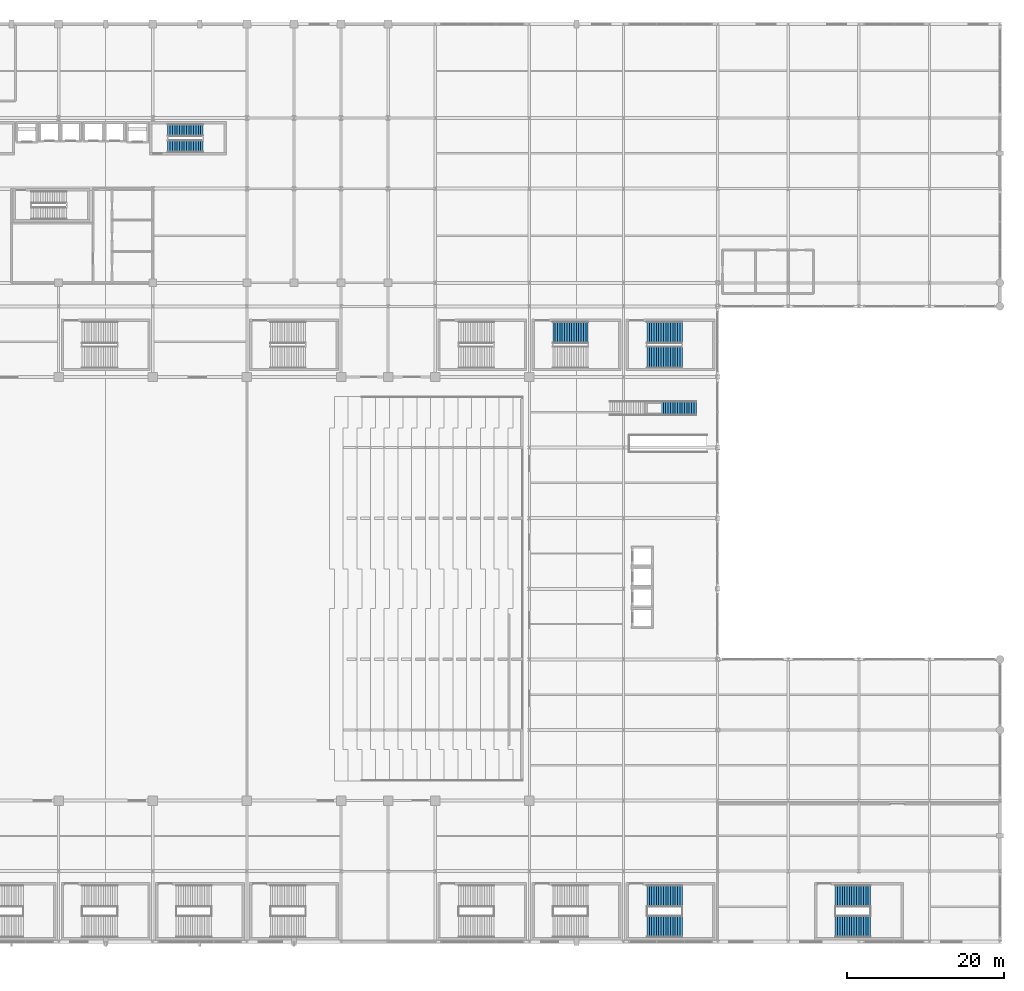
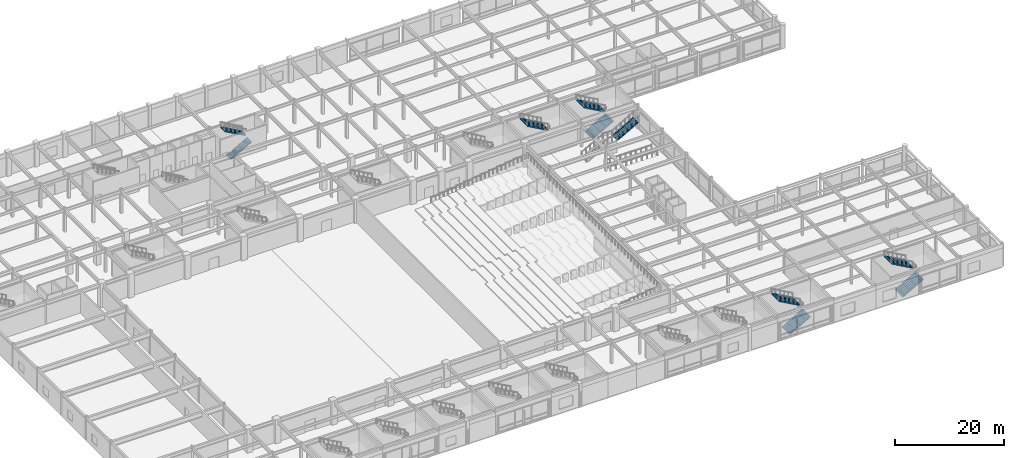
# One storey, part 91 of 100: 10 stair flights, 6 elements without a shape of their own.
"""IFC4 building model written with IfcOpenShell, lengths in metres."""

from ifc_helpers import new_model, si_unit, direction, frame, origin, place, context, subcontext, project, spatial, polyline, outline, extrude, material, type_object, element, aggregate, save


model = new_model("IFC4")

# Units and contexts
model_context = context("Model", 3, precision=1e-05, world=origin(), true_north=direction((0.0, 1.0)))
body_context = subcontext(model_context, "Body", "Model", "MODEL_VIEW")
ifc_project = project(units=[si_unit("LENGTHUNIT", "METRE"), si_unit("AREAUNIT", "SQUARE_METRE"), si_unit("VOLUMEUNIT", "CUBIC_METRE"), si_unit("PLANEANGLEUNIT", "RADIAN"), si_unit("MASSUNIT", "GRAM", prefix="KILO")], contexts=[model_context])

# Site, building, storey
site_placement = place(None, origin())
site = spatial("IfcSite", under=ifc_project, at=site_placement, CompositionType="ELEMENT")
building_placement = place(site_placement, origin())
building = spatial("IfcBuilding", under=site, at=building_placement, Name="Kaldorvane Square Convention Centre", CompositionType="ELEMENT")
storey_placement = place(building_placement, frame((0.0, 0.0, 18.0)))
storey = spatial("IfcBuildingStorey", under=building, at=storey_placement, Name="L03", CompositionType="ELEMENT", Elevation=18.0)

# Stair, stair flight
ifc_material_1 = material(Name="Steel ASTM A500 Gr. C", Category="steel")
stair_type_1 = type_object("IfcStairType", Name="ST-STR-1800-5400", PredefinedType="STRAIGHT_RUN_STAIR", material=ifc_material_1)
stair_1_placement = place(storey_placement, origin())
stair_1 = element("IfcStair", 1, at=stair_1_placement, inside=storey, type_object=stair_type_1, Name="East Foyer Grand Stair F4 (L03)", PredefinedType="STRAIGHT_RUN_STAIR")
stair_flight_type_1 = type_object("IfcStairFlightType", Name="SF-FEAT-1800-16R", PredefinedType="STRAIGHT", material=ifc_material_1)
stair_flight_1_placement = place(storey_placement, frame((130.77999877929688, 68.0, 2.6999969482421875), z_axis=(0.0, 0.0, 1.0), x_axis=(1.0, 0.0, 0.0)))
stair_flight_1 = element("IfcStairFlight", 2, at=stair_flight_1_placement, type_object=stair_flight_type_1, Name="East Foyer Grand Stair F4 Upper Flight (L03)", NumberOfRisers=16, NumberOfTreads=15, PredefinedType="STRAIGHT", RiserHeight=0.16875, TreadLength=0.3, context=body_context, shape_type="SweptSolid", body=[
    extrude(outline(polyline([(0.0, 0.0), (0.0, 0.1687469482421875), (0.3000030517578125, 0.1687469482421875), (0.3000030517578125, 0.337493896484375), (0.600006103515625, 0.337493896484375), (0.600006103515625, 0.506256103515625), (0.899993896484375, 0.506256103515625), (0.899993896484375, 0.6750030517578125), (1.1999969482421875, 0.6750030517578125), (1.1999969482421875, 0.84375), (1.5, 0.84375), (1.5, 1.0124969482421875), (1.8000030517578125, 1.0124969482421875), (1.8000030517578125, 1.181243896484375), (2.100006103515625, 1.181243896484375), (2.100006103515625, 1.350006103515625), (2.399993896484375, 1.350006103515625), (2.399993896484375, 1.5187530517578125), (2.6999969482421875, 1.5187530517578125), (2.6999969482421875, 1.6875), (3.0, 1.6875), (3.0, 1.8562469482421875), (3.3000030517578125, 1.8562469482421875), (3.3000030517578125, 2.024993896484375), (3.600006103515625, 2.024993896484375), (3.600006103515625, 2.193756103515625), (3.899993896484375, 2.193756103515625), (3.899993896484375, 2.3625030517578125), (4.1999969482421875, 2.3625030517578125), (4.1999969482421875, 2.53125), (4.5, 2.53125), (4.5, 2.6999969482421875), (4.5, 2.301788330078125), (0.4079437255859375, 0.0), (0.0, 0.0)])), frame((0.0, 0.899993896484375, 0.0), z_axis=(0.0, -1.0, 0.0), x_axis=(1.0, 0.0, 0.0)), (0.0, 0.0, 1.0), 1.8000030517578125),
])
aggregate(stair_1, [stair_flight_1])

# Stair, stair flights
ifc_material_2 = material(Name="Concrete f'c = 42 MPa (Normalweight)", Category="concrete")
stair_type_2 = type_object("IfcStairType", Name="ST-DL-1600-5400", PredefinedType="HALF_TURN_STAIR", material=ifc_material_2)
stair_2_placement = place(storey_placement, origin())
stair_2 = element("IfcStair", 3, at=stair_2_placement, inside=storey, type_object=stair_type_2, Name="Tower Exit Stair T2 (L03)", PredefinedType="HALF_TURN_STAIR")
stair_flight_type_2 = type_object("IfcStairFlightType", Name="SF-STR-1600-16R", PredefinedType="STRAIGHT", material=ifc_material_2)
stair_flight_2_placement = place(storey_placement, frame((67.89999389648438, 101.41000366210938, 0.0), z_axis=(0.0, 0.0, 1.0), x_axis=(1.0, 0.0, 0.0)))
stair_flight_2 = element("IfcStairFlight", 4, at=stair_flight_2_placement, type_object=stair_flight_type_2, Name="Tower Exit Stair T2 Flight 1 (L03)", NumberOfRisers=16, NumberOfTreads=15, PredefinedType="STRAIGHT", RiserHeight=0.16875, TreadLength=0.3, context=body_context, shape_type="SweptSolid", body=[
    extrude(outline(polyline([(0.0, 0.0), (0.0, 0.1687469482421875), (0.3000030517578125, 0.1687469482421875), (0.3000030517578125, 0.337493896484375), (0.600006103515625, 0.337493896484375), (0.600006103515625, 0.506256103515625), (0.899993896484375, 0.506256103515625), (0.899993896484375, 0.6750030517578125), (1.1999969482421875, 0.6750030517578125), (1.1999969482421875, 0.84375), (1.5, 0.84375), (1.5, 1.0124969482421875), (1.8000030517578125, 1.0124969482421875), (1.8000030517578125, 1.181243896484375), (2.100006103515625, 1.181243896484375), (2.100006103515625, 1.350006103515625), (2.399993896484375, 1.350006103515625), (2.399993896484375, 1.5187530517578125), (2.6999969482421875, 1.5187530517578125), (2.6999969482421875, 1.6875), (3.0, 1.6875), (3.0, 1.8562469482421875), (3.3000030517578125, 1.8562469482421875), (3.3000030517578125, 2.024993896484375), (3.600006103515625, 2.024993896484375), (3.600006103515625, 2.193756103515625), (3.899993896484375, 2.193756103515625), (3.899993896484375, 2.3625030517578125), (4.1999969482421875, 2.3625030517578125), (4.1999969482421875, 2.53125), (4.5, 2.53125), (4.5, 2.6999969482421875), (4.5, 2.301788330078125), (0.4079437255859375, 0.0), (0.0, 0.0)])), frame((0.0, 0.8000030517578125, 0.0), z_axis=(0.0, -1.0, 0.0), x_axis=(1.0, 0.0, 0.0)), (0.0, 0.0, 1.0), 1.600006103515625),
])
stair_flight_3_placement = place(storey_placement, frame((72.39999389648438, 103.44999694824219, 2.6999969482421875), z_axis=(0.0, 0.0, 1.0), x_axis=(-1.0, 0.0, 0.0)))
stair_flight_3 = element("IfcStairFlight", 5, at=stair_flight_3_placement, type_object=stair_flight_type_2, Name="Tower Exit Stair T2 Flight 2 (L03)", NumberOfRisers=16, NumberOfTreads=15, PredefinedType="STRAIGHT", RiserHeight=0.16875, TreadLength=0.3, context=body_context, shape_type="SweptSolid", body=[
    extrude(outline(polyline([(0.0, 0.0), (0.0, 0.1687469482421875), (0.3000030517578125, 0.1687469482421875), (0.3000030517578125, 0.337493896484375), (0.600006103515625, 0.337493896484375), (0.600006103515625, 0.506256103515625), (0.899993896484375, 0.506256103515625), (0.899993896484375, 0.6750030517578125), (1.1999969482421875, 0.6750030517578125), (1.1999969482421875, 0.84375), (1.5, 0.84375), (1.5, 1.0124969482421875), (1.8000030517578125, 1.0124969482421875), (1.8000030517578125, 1.181243896484375), (2.100006103515625, 1.181243896484375), (2.100006103515625, 1.350006103515625), (2.399993896484375, 1.350006103515625), (2.399993896484375, 1.5187530517578125), (2.6999969482421875, 1.5187530517578125), (2.6999969482421875, 1.6875), (3.0, 1.6875), (3.0, 1.8562469482421875), (3.3000030517578125, 1.8562469482421875), (3.3000030517578125, 2.024993896484375), (3.600006103515625, 2.024993896484375), (3.600006103515625, 2.193756103515625), (3.899993896484375, 2.193756103515625), (3.899993896484375, 2.3625030517578125), (4.1999969482421875, 2.3625030517578125), (4.1999969482421875, 2.53125), (4.5, 2.53125), (4.5, 2.6999969482421875), (4.5, 2.301788330078125), (0.4079437255859375, 0.0), (0.0, 0.0)])), frame((0.0, 0.8000030517578125, 0.0), z_axis=(0.0, -1.0, 0.0), x_axis=(1.0, 0.0, 0.0)), (0.0, 0.0, 1.0), 1.600006103515625),
])
aggregate(stair_2, [stair_flight_2, stair_flight_3])

stair_type_3 = type_object("IfcStairType", Name="ST-DL-2800-5400-D6710", PredefinedType="HALF_TURN_STAIR", material=ifc_material_2)
stair_3_placement = place(storey_placement, origin())
stair_3 = element("IfcStair", 6, at=stair_3_placement, inside=storey, type_object=stair_type_3, Name="Convention Exit Stair C10 (L03)", PredefinedType="HALF_TURN_STAIR")
stair_flight_type_3 = type_object("IfcStairFlightType", Name="SF-STR-2800-16R", PredefinedType="STRAIGHT", material=ifc_material_2)
stair_flight_4_placement = place(storey_placement, frame((128.99000549316406, 1.9499969482421875, 0.0), z_axis=(0.0, 0.0, 1.0), x_axis=(1.0, 0.0, 0.0)))
stair_flight_4 = element("IfcStairFlight", 7, at=stair_flight_4_placement, type_object=stair_flight_type_3, Name="Convention Exit Stair C10 Flight 1 (L03)", NumberOfRisers=16, NumberOfTreads=15, PredefinedType="STRAIGHT", RiserHeight=0.16875, TreadLength=0.3, context=body_context, shape_type="SweptSolid", body=[
    extrude(outline(polyline([(0.0, 0.0), (0.0, 0.1687469482421875), (0.3000030517578125, 0.1687469482421875), (0.3000030517578125, 0.337493896484375), (0.600006103515625, 0.337493896484375), (0.600006103515625, 0.506256103515625), (0.899993896484375, 0.506256103515625), (0.899993896484375, 0.6750030517578125), (1.1999969482421875, 0.6750030517578125), (1.1999969482421875, 0.84375), (1.5, 0.84375), (1.5, 1.0124969482421875), (1.8000030517578125, 1.0124969482421875), (1.8000030517578125, 1.181243896484375), (2.100006103515625, 1.181243896484375), (2.100006103515625, 1.350006103515625), (2.399993896484375, 1.350006103515625), (2.399993896484375, 1.5187530517578125), (2.6999969482421875, 1.5187530517578125), (2.6999969482421875, 1.6875), (3.0, 1.6875), (3.0, 1.8562469482421875), (3.3000030517578125, 1.8562469482421875), (3.3000030517578125, 2.024993896484375), (3.600006103515625, 2.024993896484375), (3.600006103515625, 2.193756103515625), (3.899993896484375, 2.193756103515625), (3.899993896484375, 2.3625030517578125), (4.1999969482421875, 2.3625030517578125), (4.1999969482421875, 2.53125), (4.5, 2.53125), (4.5, 2.6999969482421875), (4.5, 2.301788330078125), (0.4079437255859375, 0.0), (0.0, 0.0)])), frame((0.0, 1.399993896484375, 0.0), z_axis=(0.0, -1.0, 0.0), x_axis=(1.0, 0.0, 0.0)), (0.0, 0.0, 1.0), 2.8000030517578125),
])
stair_flight_5_placement = place(storey_placement, frame((133.49000549316406, 5.8600006103515625, 2.6999969482421875), z_axis=(0.0, 0.0, 1.0), x_axis=(-1.0, 0.0, 0.0)))
stair_flight_5 = element("IfcStairFlight", 8, at=stair_flight_5_placement, type_object=stair_flight_type_3, Name="Convention Exit Stair C10 Flight 2 (L03)", NumberOfRisers=16, NumberOfTreads=15, PredefinedType="STRAIGHT", RiserHeight=0.16875, TreadLength=0.3, context=body_context, shape_type="SweptSolid", body=[
    extrude(outline(polyline([(0.0, 0.0), (0.0, 0.1687469482421875), (0.3000030517578125, 0.1687469482421875), (0.3000030517578125, 0.337493896484375), (0.600006103515625, 0.337493896484375), (0.600006103515625, 0.506256103515625), (0.899993896484375, 0.506256103515625), (0.899993896484375, 0.6750030517578125), (1.1999969482421875, 0.6750030517578125), (1.1999969482421875, 0.84375), (1.5, 0.84375), (1.5, 1.0124969482421875), (1.8000030517578125, 1.0124969482421875), (1.8000030517578125, 1.181243896484375), (2.100006103515625, 1.181243896484375), (2.100006103515625, 1.350006103515625), (2.399993896484375, 1.350006103515625), (2.399993896484375, 1.5187530517578125), (2.6999969482421875, 1.5187530517578125), (2.6999969482421875, 1.6875), (3.0, 1.6875), (3.0, 1.8562469482421875), (3.3000030517578125, 1.8562469482421875), (3.3000030517578125, 2.024993896484375), (3.600006103515625, 2.024993896484375), (3.600006103515625, 2.193756103515625), (3.899993896484375, 2.193756103515625), (3.899993896484375, 2.3625030517578125), (4.1999969482421875, 2.3625030517578125), (4.1999969482421875, 2.53125), (4.5, 2.53125), (4.5, 2.6999969482421875), (4.5, 2.301788330078125), (0.4079437255859375, 0.0), (0.0, 0.0)])), frame((0.0, 1.399993896484375, 0.0), z_axis=(0.0, -1.0, 0.0), x_axis=(1.0, 0.0, 0.0)), (0.0, 0.0, 1.0), 2.8000030517578125),
])
aggregate(stair_3, [stair_flight_4, stair_flight_5])

stair_4_placement = place(storey_placement, origin())
stair_4 = element("IfcStair", 9, at=stair_4_placement, inside=storey, type_object=stair_type_3, Name="Convention Exit Stair C11 (L03)", PredefinedType="HALF_TURN_STAIR")
stair_flight_6_placement = place(storey_placement, frame((152.99000549316406, 1.9499969482421875, 0.0), z_axis=(0.0, 0.0, 1.0), x_axis=(1.0, 0.0, 0.0)))
stair_flight_6 = element("IfcStairFlight", 10, at=stair_flight_6_placement, type_object=stair_flight_type_3, Name="Convention Exit Stair C11 Flight 1 (L03)", NumberOfRisers=16, NumberOfTreads=15, PredefinedType="STRAIGHT", RiserHeight=0.16875, TreadLength=0.3, context=body_context, shape_type="SweptSolid", body=[
    extrude(outline(polyline([(0.0, 0.0), (0.0, 0.1687469482421875), (0.3000030517578125, 0.1687469482421875), (0.3000030517578125, 0.337493896484375), (0.600006103515625, 0.337493896484375), (0.600006103515625, 0.506256103515625), (0.899993896484375, 0.506256103515625), (0.899993896484375, 0.6750030517578125), (1.1999969482421875, 0.6750030517578125), (1.1999969482421875, 0.84375), (1.5, 0.84375), (1.5, 1.0124969482421875), (1.8000030517578125, 1.0124969482421875), (1.8000030517578125, 1.181243896484375), (2.100006103515625, 1.181243896484375), (2.100006103515625, 1.350006103515625), (2.399993896484375, 1.350006103515625), (2.399993896484375, 1.5187530517578125), (2.6999969482421875, 1.5187530517578125), (2.6999969482421875, 1.6875), (3.0, 1.6875), (3.0, 1.8562469482421875), (3.3000030517578125, 1.8562469482421875), (3.3000030517578125, 2.024993896484375), (3.600006103515625, 2.024993896484375), (3.600006103515625, 2.193756103515625), (3.899993896484375, 2.193756103515625), (3.899993896484375, 2.3625030517578125), (4.1999969482421875, 2.3625030517578125), (4.1999969482421875, 2.53125), (4.5, 2.53125), (4.5, 2.6999969482421875), (4.5, 2.301788330078125), (0.4079437255859375, 0.0), (0.0, 0.0)])), frame((0.0, 1.399993896484375, 0.0), z_axis=(0.0, -1.0, 0.0), x_axis=(1.0, 0.0, 0.0)), (0.0, 0.0, 1.0), 2.8000030517578125),
])
stair_flight_7_placement = place(storey_placement, frame((157.49000549316406, 5.8600006103515625, 2.6999969482421875), z_axis=(0.0, 0.0, 1.0), x_axis=(-1.0, 0.0, 0.0)))
stair_flight_7 = element("IfcStairFlight", 11, at=stair_flight_7_placement, type_object=stair_flight_type_3, Name="Convention Exit Stair C11 Flight 2 (L03)", NumberOfRisers=16, NumberOfTreads=15, PredefinedType="STRAIGHT", RiserHeight=0.16875, TreadLength=0.3, context=body_context, shape_type="SweptSolid", body=[
    extrude(outline(polyline([(0.0, 0.0), (0.0, 0.1687469482421875), (0.3000030517578125, 0.1687469482421875), (0.3000030517578125, 0.337493896484375), (0.600006103515625, 0.337493896484375), (0.600006103515625, 0.506256103515625), (0.899993896484375, 0.506256103515625), (0.899993896484375, 0.6750030517578125), (1.1999969482421875, 0.6750030517578125), (1.1999969482421875, 0.84375), (1.5, 0.84375), (1.5, 1.0124969482421875), (1.8000030517578125, 1.0124969482421875), (1.8000030517578125, 1.181243896484375), (2.100006103515625, 1.181243896484375), (2.100006103515625, 1.350006103515625), (2.399993896484375, 1.350006103515625), (2.399993896484375, 1.5187530517578125), (2.6999969482421875, 1.5187530517578125), (2.6999969482421875, 1.6875), (3.0, 1.6875), (3.0, 1.8562469482421875), (3.3000030517578125, 1.8562469482421875), (3.3000030517578125, 2.024993896484375), (3.600006103515625, 2.024993896484375), (3.600006103515625, 2.193756103515625), (3.899993896484375, 2.193756103515625), (3.899993896484375, 2.3625030517578125), (4.1999969482421875, 2.3625030517578125), (4.1999969482421875, 2.53125), (4.5, 2.53125), (4.5, 2.6999969482421875), (4.5, 2.301788330078125), (0.4079437255859375, 0.0), (0.0, 0.0)])), frame((0.0, 1.399993896484375, 0.0), z_axis=(0.0, -1.0, 0.0), x_axis=(1.0, 0.0, 0.0)), (0.0, 0.0, 1.0), 2.8000030517578125),
])
aggregate(stair_4, [stair_flight_6, stair_flight_7])

# Stair, stair flight
stair_type_4 = type_object("IfcStairType", Name="ST-DL-2800-5400", PredefinedType="HALF_TURN_STAIR", material=ifc_material_2)
stair_5_placement = place(storey_placement, origin())
stair_5 = element("IfcStair", 12, at=stair_5_placement, inside=storey, type_object=stair_type_4, Name="Convention Exit Stair C17 (L03)", PredefinedType="HALF_TURN_STAIR")
stair_flight_8_placement = place(storey_placement, frame((121.49000549316406, 77.66000366210938, 2.6999969482421875), z_axis=(0.0, 0.0, 1.0), x_axis=(-1.0, 0.0, 0.0)))
stair_flight_8 = element("IfcStairFlight", 13, at=stair_flight_8_placement, type_object=stair_flight_type_3, Name="Convention Exit Stair C17 Flight 2 (L03)", NumberOfRisers=16, NumberOfTreads=15, PredefinedType="STRAIGHT", RiserHeight=0.16875, TreadLength=0.3, context=body_context, shape_type="SweptSolid", body=[
    extrude(outline(polyline([(0.0, 0.0), (0.0, 0.1687469482421875), (0.3000030517578125, 0.1687469482421875), (0.3000030517578125, 0.337493896484375), (0.600006103515625, 0.337493896484375), (0.600006103515625, 0.506256103515625), (0.899993896484375, 0.506256103515625), (0.899993896484375, 0.6750030517578125), (1.1999969482421875, 0.6750030517578125), (1.1999969482421875, 0.84375), (1.5, 0.84375), (1.5, 1.0124969482421875), (1.8000030517578125, 1.0124969482421875), (1.8000030517578125, 1.181243896484375), (2.100006103515625, 1.181243896484375), (2.100006103515625, 1.350006103515625), (2.399993896484375, 1.350006103515625), (2.399993896484375, 1.5187530517578125), (2.6999969482421875, 1.5187530517578125), (2.6999969482421875, 1.6875), (3.0, 1.6875), (3.0, 1.8562469482421875), (3.3000030517578125, 1.8562469482421875), (3.3000030517578125, 2.024993896484375), (3.600006103515625, 2.024993896484375), (3.600006103515625, 2.193756103515625), (3.899993896484375, 2.193756103515625), (3.899993896484375, 2.3625030517578125), (4.1999969482421875, 2.3625030517578125), (4.1999969482421875, 2.53125), (4.5, 2.53125), (4.5, 2.6999969482421875), (4.5, 2.301788330078125), (0.4079437255859375, 0.0), (0.0, 0.0)])), frame((0.0, 1.399993896484375, 0.0), z_axis=(0.0, -1.0, 0.0), x_axis=(1.0, 0.0, 0.0)), (0.0, 0.0, 1.0), 2.8000030517578125),
])
aggregate(stair_5, [stair_flight_8])

# Stair, stair flights
stair_6_placement = place(storey_placement, origin())
stair_6 = element("IfcStair", 14, at=stair_6_placement, inside=storey, type_object=stair_type_4, Name="Convention Exit Stair C18 (L03)", PredefinedType="HALF_TURN_STAIR")
stair_flight_9_placement = place(storey_placement, frame((128.99000549316406, 74.5, 0.0), z_axis=(0.0, 0.0, 1.0), x_axis=(1.0, 0.0, 0.0)))
stair_flight_9 = element("IfcStairFlight", 15, at=stair_flight_9_placement, type_object=stair_flight_type_3, Name="Convention Exit Stair C18 Flight 1 (L03)", NumberOfRisers=16, NumberOfTreads=15, PredefinedType="STRAIGHT", RiserHeight=0.16875, TreadLength=0.3, context=body_context, shape_type="SweptSolid", body=[
    extrude(outline(polyline([(0.0, 0.0), (0.0, 0.1687469482421875), (0.3000030517578125, 0.1687469482421875), (0.3000030517578125, 0.337493896484375), (0.600006103515625, 0.337493896484375), (0.600006103515625, 0.506256103515625), (0.899993896484375, 0.506256103515625), (0.899993896484375, 0.6750030517578125), (1.1999969482421875, 0.6750030517578125), (1.1999969482421875, 0.84375), (1.5, 0.84375), (1.5, 1.0124969482421875), (1.8000030517578125, 1.0124969482421875), (1.8000030517578125, 1.181243896484375), (2.100006103515625, 1.181243896484375), (2.100006103515625, 1.350006103515625), (2.399993896484375, 1.350006103515625), (2.399993896484375, 1.5187530517578125), (2.6999969482421875, 1.5187530517578125), (2.6999969482421875, 1.6875), (3.0, 1.6875), (3.0, 1.8562469482421875), (3.3000030517578125, 1.8562469482421875), (3.3000030517578125, 2.024993896484375), (3.600006103515625, 2.024993896484375), (3.600006103515625, 2.193756103515625), (3.899993896484375, 2.193756103515625), (3.899993896484375, 2.3625030517578125), (4.1999969482421875, 2.3625030517578125), (4.1999969482421875, 2.53125), (4.5, 2.53125), (4.5, 2.6999969482421875), (4.5, 2.301788330078125), (0.4079437255859375, 0.0), (0.0, 0.0)])), frame((0.0, 1.399993896484375, 0.0), z_axis=(0.0, -1.0, 0.0), x_axis=(1.0, 0.0, 0.0)), (0.0, 0.0, 1.0), 2.8000030517578125),
])
stair_flight_10_placement = place(storey_placement, frame((133.49000549316406, 77.66000366210938, 2.6999969482421875), z_axis=(0.0, 0.0, 1.0), x_axis=(-1.0, 0.0, 0.0)))
stair_flight_10 = element("IfcStairFlight", 16, at=stair_flight_10_placement, type_object=stair_flight_type_3, Name="Convention Exit Stair C18 Flight 2 (L03)", NumberOfRisers=16, NumberOfTreads=15, PredefinedType="STRAIGHT", RiserHeight=0.16875, TreadLength=0.3, context=body_context, shape_type="SweptSolid", body=[
    extrude(outline(polyline([(0.0, 0.0), (0.0, 0.1687469482421875), (0.3000030517578125, 0.1687469482421875), (0.3000030517578125, 0.337493896484375), (0.600006103515625, 0.337493896484375), (0.600006103515625, 0.506256103515625), (0.899993896484375, 0.506256103515625), (0.899993896484375, 0.6750030517578125), (1.1999969482421875, 0.6750030517578125), (1.1999969482421875, 0.84375), (1.5, 0.84375), (1.5, 1.0124969482421875), (1.8000030517578125, 1.0124969482421875), (1.8000030517578125, 1.181243896484375), (2.100006103515625, 1.181243896484375), (2.100006103515625, 1.350006103515625), (2.399993896484375, 1.350006103515625), (2.399993896484375, 1.5187530517578125), (2.6999969482421875, 1.5187530517578125), (2.6999969482421875, 1.6875), (3.0, 1.6875), (3.0, 1.8562469482421875), (3.3000030517578125, 1.8562469482421875), (3.3000030517578125, 2.024993896484375), (3.600006103515625, 2.024993896484375), (3.600006103515625, 2.193756103515625), (3.899993896484375, 2.193756103515625), (3.899993896484375, 2.3625030517578125), (4.1999969482421875, 2.3625030517578125), (4.1999969482421875, 2.53125), (4.5, 2.53125), (4.5, 2.6999969482421875), (4.5, 2.301788330078125), (0.4079437255859375, 0.0), (0.0, 0.0)])), frame((0.0, 1.399993896484375, 0.0), z_axis=(0.0, -1.0, 0.0), x_axis=(1.0, 0.0, 0.0)), (0.0, 0.0, 1.0), 2.8000030517578125),
])
aggregate(stair_6, [stair_flight_9, stair_flight_10])

save(model, "model.ifc")
